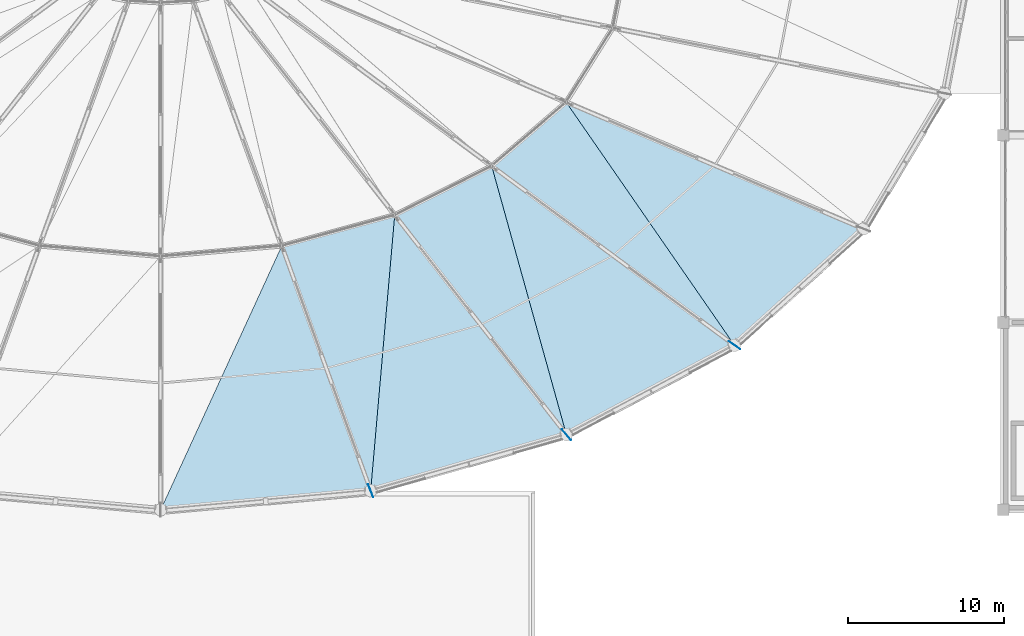
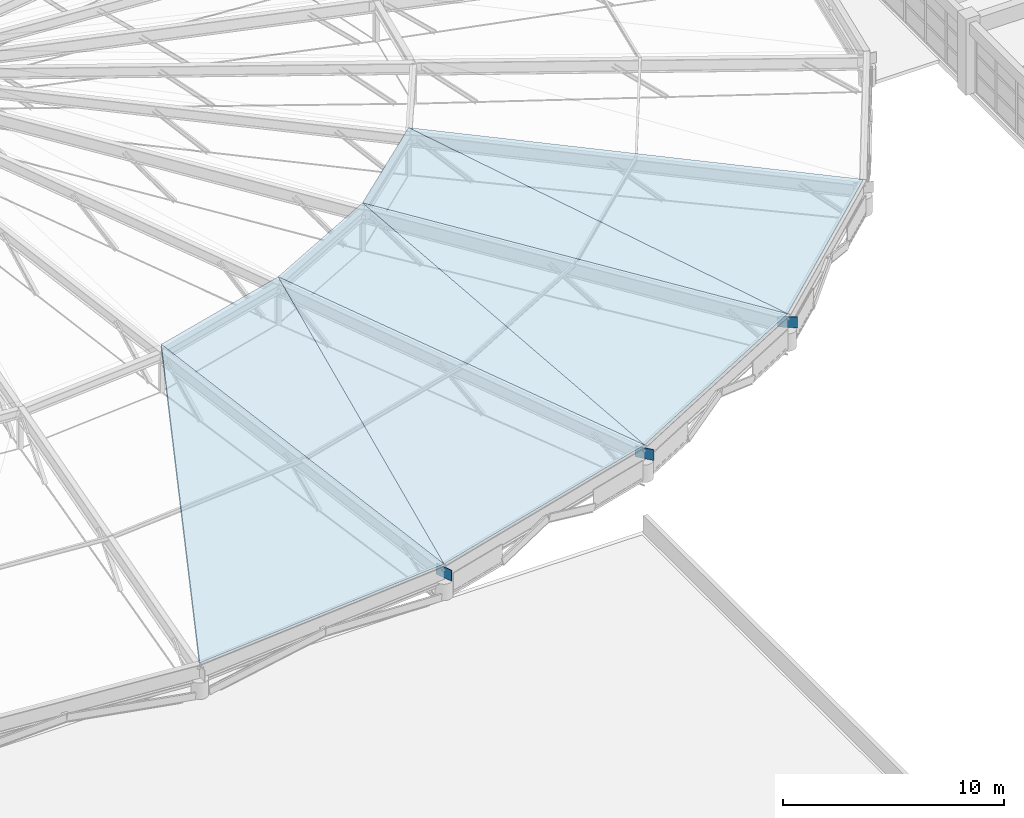
# One storey, part 46 of 83: 7 slabs, 3 plates, 1 element without a shape of its own.
"""IFC4 building model written with IfcOpenShell, lengths in metres."""

import ifcopenshell
import ifcopenshell.guid

model = None  # the IFC model being written
_history = None  # IfcOwnerHistory: only IFC2X3 demands one
_inside = {}  # id of a spatial element -> (the spatial element, [elements in it])
_under = {}  # id of a project, library or spatial element -> (it, [spatial elements below it])
_declared = {}  # id of a project -> (the project, [libraries it declares])
_typed = {}  # id of a type object -> (the type object, [elements of that type])
_made_of = {}  # id of a material, layer set ... -> (it, [elements and type objects made of it])


def new_model(schema):
    """Start an empty IFC model of exactly this schema.

    Asked for "IFC4X3", IfcOpenShell would pick the latest addendum, in which some entities
    have other attributes; the version numbers below select the first issue.
    IFC2X3 requires an IfcOwnerHistory on every rooted entity: one is made here for all.
    """
    global model, _history
    if schema == "IFC4X3":
        model = ifcopenshell.file(schema_version=(4, 3, 0, 0))
    else:
        model = ifcopenshell.file(schema=schema)
    _inside.clear()
    _under.clear()
    _declared.clear()
    _typed.clear()
    _made_of.clear()
    _history = None
    if model.schema == "IFC2X3":
        org = make("IfcOrganization", Name="unknown")
        user = make(
            "IfcPersonAndOrganization",
            ThePerson=make("IfcPerson", FamilyName="unknown"),
            TheOrganization=org,
        )
        app = make(
            "IfcApplication",
            ApplicationDeveloper=org,
            Version="unknown",
            ApplicationFullName="unknown",
            ApplicationIdentifier="unknown",
        )
        _history = make(
            "IfcOwnerHistory",
            OwningUser=user,
            OwningApplication=app,
            ChangeAction="ADDED",
            CreationDate=0,
        )
    return model


def make(cls, **values):
    """One entity of the class cls with the attributes given. An attribute that is None is left unset."""
    return model.create_entity(
        cls, **{name: value for name, value in values.items() if value is not None}
    )


def rooted(cls, **values):
    """An entity with a GlobalId (a new one), such as an element, a storey or a relation."""
    return make(cls, GlobalId=ifcopenshell.guid.new(), OwnerHistory=_history, **values)


def si_unit(unit_type, name, prefix=None):
    """IfcSIUnit, for example si_unit("LENGTHUNIT", "METRE", prefix="MILLI")."""
    return make("IfcSIUnit", UnitType=unit_type, Prefix=prefix, Name=name)


def assignment(units):
    """IfcUnitAssignment: the units of a project."""
    return None if units is None else make("IfcUnitAssignment", Units=units)


def point(xyz):
    """IfcCartesianPoint."""
    return None if xyz is None else make("IfcCartesianPoint", Coordinates=xyz)


def direction(xyz):
    """IfcDirection."""
    return None if xyz is None else make("IfcDirection", DirectionRatios=xyz)


def frame(location, z_axis=None, x_axis=None):
    """IfcAxis2Placement3D, a coordinate frame: its origin and axes. An axis left out is left unset."""
    return make(
        "IfcAxis2Placement3D",
        Location=point(location),
        Axis=direction(z_axis),
        RefDirection=direction(x_axis),
    )


def frame_2d(location, x_axis=None):
    """IfcAxis2Placement2D, a coordinate frame in the plane: its origin and x axis."""
    return make(
        "IfcAxis2Placement2D", Location=point(location), RefDirection=direction(x_axis)
    )


def origin():
    """The frame at (0, 0, 0) with its axes left unset."""
    return frame((0.0, 0.0, 0.0))


def origin_2d():
    """The frame at (0, 0) in the plane with its x axis left unset."""
    return frame_2d((0.0, 0.0))


def place(relative_to, where):
    """IfcLocalPlacement: puts the frame where relative to a parent placement (None: the world)."""
    return make(
        "IfcLocalPlacement", PlacementRelTo=relative_to, RelativePlacement=where
    )


def context(
    kind, dimensions, precision=None, world=None, true_north=None, identifier=None
):
    """IfcGeometricRepresentationContext, for example the 3D "Model" context."""
    return make(
        "IfcGeometricRepresentationContext",
        ContextIdentifier=identifier,
        ContextType=kind,
        CoordinateSpaceDimension=dimensions,
        Precision=precision,
        WorldCoordinateSystem=world,
        TrueNorth=true_north,
    )


def subcontext(parent, identifier, kind, view, scale=None):
    """IfcGeometricRepresentationSubContext, for example "Body" below "Model"."""
    return make(
        "IfcGeometricRepresentationSubContext",
        ContextIdentifier=identifier,
        ContextType=kind,
        ParentContext=parent,
        TargetScale=scale,
        TargetView=view,
    )


def project(units=None, contexts=None):
    """IfcProject with its units and contexts."""
    return rooted(
        "IfcProject",
        Name="project",
        RepresentationContexts=contexts,
        UnitsInContext=assignment(units),
    )


def spatial(cls, under=None, at=None, **own):
    """A site, building, storey or space (cls), placed at a placement, below another one or the project."""
    s = rooted(cls, ObjectPlacement=at, **own)
    if under is not None:
        _under.setdefault(under.id(), (under, []))[1].append(s)
    return s


def polyline(points):
    """IfcPolyline through the points."""
    return make("IfcPolyline", Points=[point(p) for p in points])


def profile(cls, at=None, kind="AREA", **sizes):
    """A parametric profile (cls). Its sizes go by their IFC names, for example OverallWidth=200.0."""
    return make(cls, ProfileType=kind, Position=at, **sizes)


def rectangle(**sizes):
    """IfcRectangleProfileDef."""
    return profile("IfcRectangleProfileDef", **sizes)


def outline(outer, holes=None, kind="AREA"):
    """IfcArbitraryClosedProfileDef: a profile drawn as a closed curve; with holes, ...WithVoids."""
    if holes is None:
        return make("IfcArbitraryClosedProfileDef", ProfileType=kind, OuterCurve=outer)
    return make(
        "IfcArbitraryProfileDefWithVoids",
        ProfileType=kind,
        OuterCurve=outer,
        InnerCurves=holes,
    )


def extrude(swept, where, along, depth):
    """IfcExtrudedAreaSolid: the profile swept, set in the frame where, extruded along a direction by depth."""
    return make(
        "IfcExtrudedAreaSolid",
        SweptArea=swept,
        Position=where,
        ExtrudedDirection=direction(along),
        Depth=depth,
    )


def shape(context_of_items, identifier, shape_type, items):
    """IfcShapeRepresentation: the items that make up one representation, for example the "Body"."""
    return make(
        "IfcShapeRepresentation",
        ContextOfItems=context_of_items,
        RepresentationIdentifier=identifier,
        RepresentationType=shape_type,
        Items=items,
    )


def material(Name=None, Category=None):
    """IfcMaterial."""
    return make("IfcMaterial", Name=Name, Category=Category)


def layer(
    of_material, thickness, ventilated=None, Name=None, Category=None, Priority=None
):
    """IfcMaterialLayer: one layer of a wall or slab, of a material (None: an air gap)."""
    return make(
        "IfcMaterialLayer",
        Material=of_material,
        LayerThickness=thickness,
        IsVentilated=ventilated,
        Name=Name,
        Category=Category,
        Priority=Priority,
    )


def layer_set(layers, Name=None):
    """IfcMaterialLayerSet."""
    return make("IfcMaterialLayerSet", MaterialLayers=layers, LayerSetName=Name)


def made_of(thing, what):
    """Note that an element or type object is made of a material, layer set ...; save() writes the relation."""
    if what is not None:
        _made_of.setdefault(what.id(), (what, []))[1].append(thing)
    return thing


def type_object(cls, material=None, **own):
    """A type object (cls), such as IfcWallType, which elements share."""
    return made_of(rooted(cls, **own), material)


def element(
    cls,
    number,
    at=None,
    inside=None,
    cuts=None,
    type_object=None,
    material=None,
    context=None,
    identifier="Body",
    shape_type=None,
    held_by="IfcProductDefinitionShape",
    body=None,
    shapes=None,
    **own,
):
    """One element of the class cls, such as IfcWall. Its Tag is "e" and its number.

    at: its placement. inside: the storey or other place that contains it. cuts: it is an
    opening in that element (IfcRelVoidsElement). A single representation is given by context,
    identifier, shape_type and body (its items); several are given by shapes. held_by: the class
    of the entity that holds the representations. save() writes the other relations.
    """
    e = rooted(cls, Tag="e%d" % number, ObjectPlacement=at, **own)
    if body is not None:
        shapes = [shape(context, identifier, shape_type, body)]
    if shapes is not None:
        e.Representation = make(held_by, Representations=shapes)
    if inside is not None:
        _inside.setdefault(inside.id(), (inside, []))[1].append(e)
    if cuts is not None:
        rooted(
            "IfcRelVoidsElement", RelatingBuildingElement=cuts, RelatedOpeningElement=e
        )
    if type_object is not None:
        _typed.setdefault(type_object.id(), (type_object, []))[1].append(e)
    return made_of(e, material)


def aggregate(whole, parts):
    """IfcRelAggregates: a whole, such as a stair, and the parts it consists of."""
    return rooted("IfcRelAggregates", RelatingObject=whole, RelatedObjects=parts)


def save(model, path):
    """Write the relations noted so far, then the file.

    IfcRelAggregates (storeys below a building ...), IfcRelContainedInSpatialStructure (elements
    in a storey), IfcRelDefinesByType, IfcRelAssociatesMaterial and IfcRelDeclares: one each for
    every whole, place, type object, material and project.
    """
    for whole, parts in _under.values():
        aggregate(whole, parts)
    for where, things in _inside.values():
        rooted(
            "IfcRelContainedInSpatialStructure",
            RelatedElements=things,
            RelatingStructure=where,
        )
    for kind, things in _typed.values():
        rooted("IfcRelDefinesByType", RelatedObjects=things, RelatingType=kind)
    for what, things in _made_of.values():
        rooted("IfcRelAssociatesMaterial", RelatedObjects=things, RelatingMaterial=what)
    for by, libraries in _declared.values():
        rooted("IfcRelDeclares", RelatingContext=by, RelatedDefinitions=libraries)
    model.write(path)


model = new_model("IFC4")

# Units and contexts
model_context = context("Model", 3, precision=1e-05, world=origin(), true_north=direction((0.0, 1.0)))
body_context = subcontext(model_context, "Body", "Model", "MODEL_VIEW")
ifc_project = project(units=[si_unit("LENGTHUNIT", "METRE"), si_unit("AREAUNIT", "SQUARE_METRE"), si_unit("VOLUMEUNIT", "CUBIC_METRE"), si_unit("PLANEANGLEUNIT", "RADIAN"), si_unit("MASSUNIT", "GRAM", prefix="KILO")], contexts=[model_context])

# Site, building, storey
site_placement = place(None, origin())
site = spatial("IfcSite", under=ifc_project, at=site_placement, CompositionType="ELEMENT")
building_placement = place(site_placement, origin())
building = spatial("IfcBuilding", under=site, at=building_placement, Name="Kivolera Central Railway Station", CompositionType="ELEMENT")
storey_placement = place(building_placement, frame((0.0, 0.0, 14.39990234375)))
storey = spatial("IfcBuildingStorey", under=building, at=storey_placement, Name="L03", CompositionType="ELEMENT", Elevation=14.39990234375)

# Plates
ifc_material_1 = material(Name="Steel S355", Category="steel")
ifc_layer_1 = layer(ifc_material_1, 0.028076171875, Name="Steel S355")
ifc_layer_set_1 = layer_set([ifc_layer_1], Name="Steel S355")
plate_type = type_object("IfcPlateType", Name="PLT-GUS-900", PredefinedType="SHEET", material=ifc_layer_set_1)
for number, where, z_axis, x_axis, name in (
    (1, (77.458984375, 55.22705078125, 1.050048828125), (0.0, 0.0, 1.0), (0.360957320631, -0.932582335605, 0.0), "Dome Springing Node Gusset Plate NP-20"),
    (2, (90.0, 58.822998046875, 1.050048828125), (0.0, 0.0, 1.0), (0.640458269571, -0.767992971933, 0.0), "Dome Springing Node Gusset Plate NP-21"),
    (3, (100.77001953125, 64.5439453125, 1.050048828125), (0.0, 0.0, 1.0), (0.82219371691, -0.569207775661, 0.0), "Dome Springing Node Gusset Plate NP-22"),
):
    element("IfcPlate", number, at=place(storey_placement, frame(where, z_axis=z_axis, x_axis=x_axis)), inside=storey, type_object=plate_type, Name=name, PredefinedType="SHEET", context=body_context, shape_type="SweptSolid", body=[
        extrude(rectangle(XDim=0.89990234375, YDim=0.028076171875, at=origin_2d()), origin(), (0.0, 0.0, 1.0), 0.60009765625),
    ])

# Roof, slabs
roof_type = type_object("IfcRoofType", Name="ROOF-DOME-MAIN", PredefinedType="DOME_ROOF", material=ifc_material_1)
roof_placement = place(storey_placement, origin())
roof = element("IfcRoof", 4, at=roof_placement, inside=storey, type_object=roof_type, Name="Oval Concourse Radial-Ribbed Cable-Net Dome Roof", PredefinedType="DOME_ROOF")
ifc_material_2 = material(Name="Precast concrete C40/50", Category="concrete")
ifc_layer_2 = layer(ifc_material_2, 0.179931640625, Name="Precast concrete C40/50")
ifc_layer_set_2 = layer_set([ifc_layer_2], Name="Precast concrete C40/50")
slab_type = type_object("IfcSlabType", Name="SLB-DOME-180", PredefinedType="ROOF", material=ifc_layer_set_2)
slab_1_placement = place(storey_placement, frame((64.0, 54.0, 1.800048828125), z_axis=(0.024874412473, -0.272836571986, 0.961738773572), x_axis=(0.995869777974, 0.0907930907, 0.0)))
slab_1 = element("IfcSlab", 5, at=slab_1_placement, type_object=slab_type, Name="Oval Dome Faceted Roof Panel F1A-18", PredefinedType="ROOF", context=body_context, shape_type="SweptSolid", body=[
    extrude(outline(polyline([(0.0, 0.0), (13.51480351415663, 0.0), (9.269322010860428, 16.790631102878883), (0.0, 0.0)])), origin(), (0.0, 0.0, -1.0), 0.179931640625),
])
slab_2_placement = place(storey_placement, frame((77.458984375, 55.22705078125, 1.800048828125), z_axis=(0.073772524697, -0.257284747685, 0.963515528265), x_axis=(0.961264358362, 0.275628070673, 0.0)))
slab_2 = element("IfcSlab", 6, at=slab_2_placement, type_object=slab_type, Name="Oval Dome Faceted Roof Panel F1A-19", PredefinedType="ROOF", context=body_context, shape_type="SweptSolid", body=[
    extrude(outline(polyline([(0.0, 0.0), (13.04637534503933, 4.440892098500626e-16), (6.35138070329728, 17.186832728034258), (0.0, 0.0)])), origin(), (0.0, 0.0, -1.0), 0.179931640625),
])
slab_3_placement = place(storey_placement, frame((77.458984375, 55.22705078125, 1.800048828125), z_axis=(0.0700939429, -0.257051602259, 0.963852329429), x_axis=(0.084103436531, 0.964311455741, 0.251057818619)))
slab_3 = element("IfcSlab", 7, at=slab_3_placement, type_object=slab_type, Name="Oval Dome Faceted Roof Panel F1B-19", PredefinedType="ROOF", context=body_context, shape_type="SweptSolid", body=[
    extrude(outline(polyline([(0.0, 0.0), (18.322861568533632, 1.1102230246251565e-16), (15.811873722964926, 7.0664032857462376), (0.0, 0.0)])), origin(), (0.0, 0.0, -1.0), 0.179931640625),
])
slab_4_placement = place(storey_placement, frame((90.0, 58.822998046875, 1.800048828125), z_axis=(0.119605435692, -0.225164263649, 0.966951702066), x_axis=(0.883136972992, 0.469115217122, 0.0)))
slab_4 = element("IfcSlab", 8, at=slab_4_placement, type_object=slab_type, Name="Oval Dome Faceted Roof Panel F1A-20", PredefinedType="ROOF", context=body_context, shape_type="SweptSolid", body=[
    extrude(outline(polyline([(0.0, 0.0), (12.195185866544579, 0.0), (3.846697519694617, 18.042455999727707), (0.0, 0.0)])), origin(), (0.0, 0.0, -1.0), 0.179931640625),
])
slab_5_placement = place(storey_placement, frame((90.0, 58.822998046875, 1.800048828125), z_axis=(0.114511069519, -0.226653005921, 0.967220569397), x_axis=(-0.259492587125, 0.932998133022, 0.249355330814)))
slab_5 = element("IfcSlab", 9, at=slab_5_placement, type_object=slab_type, Name="Oval Dome Faceted Roof Panel F1B-20", PredefinedType="ROOF", context=body_context, shape_type="SweptSolid", body=[
    extrude(outline(polyline([(0.0, 0.0), (18.447961955460958, 4.440892098500626e-16), (17.131558234974833, 6.835194577775406), (0.0, 0.0)])), origin(), (0.0, 0.0, -1.0), 0.179931640625),
])
slab_6_placement = place(storey_placement, frame((100.77001953125, 64.5439453125, 1.800048828125), z_axis=(0.159259290705, -0.176494128811, 0.971332229888), x_axis=(0.74242638035, 0.669927660095, 0.0)))
slab_6 = element("IfcSlab", 10, at=slab_6_placement, type_object=slab_type, Name="Oval Dome Faceted Roof Panel F1A-21", PredefinedType="ROOF", context=body_context, shape_type="SweptSolid", body=[
    extrude(outline(polyline([(0.0, 0.0), (11.12964149957223, 0.0), (2.4280948893533942, 19.350410550143494), (0.0, 0.0)])), origin(), (0.0, 0.0, -1.0), 0.179931640625),
])
slab_7_placement = place(storey_placement, frame((100.77001953125, 64.5439453125, 1.800048828125), z_axis=(0.154352979159, -0.179938738314, 0.971492258476), x_axis=(-0.553224129975, 0.798940169601, 0.23587638163)))
slab_7 = element("IfcSlab", 11, at=slab_7_placement, type_object=slab_type, Name="Oval Dome Faceted Roof Panel F1B-21", PredefinedType="ROOF", context=body_context, shape_type="SweptSolid", body=[
    extrude(outline(polyline([(0.0, 0.0), (19.502154579707565, -8.049116928532385e-16), (18.872228455949386, 6.250317534818054), (0.0, 0.0)])), origin(), (0.0, 0.0, -1.0), 0.179931640625),
])
aggregate(roof, [slab_1, slab_2, slab_3, slab_4, slab_5, slab_6, slab_7])

save(model, "model.ifc")
